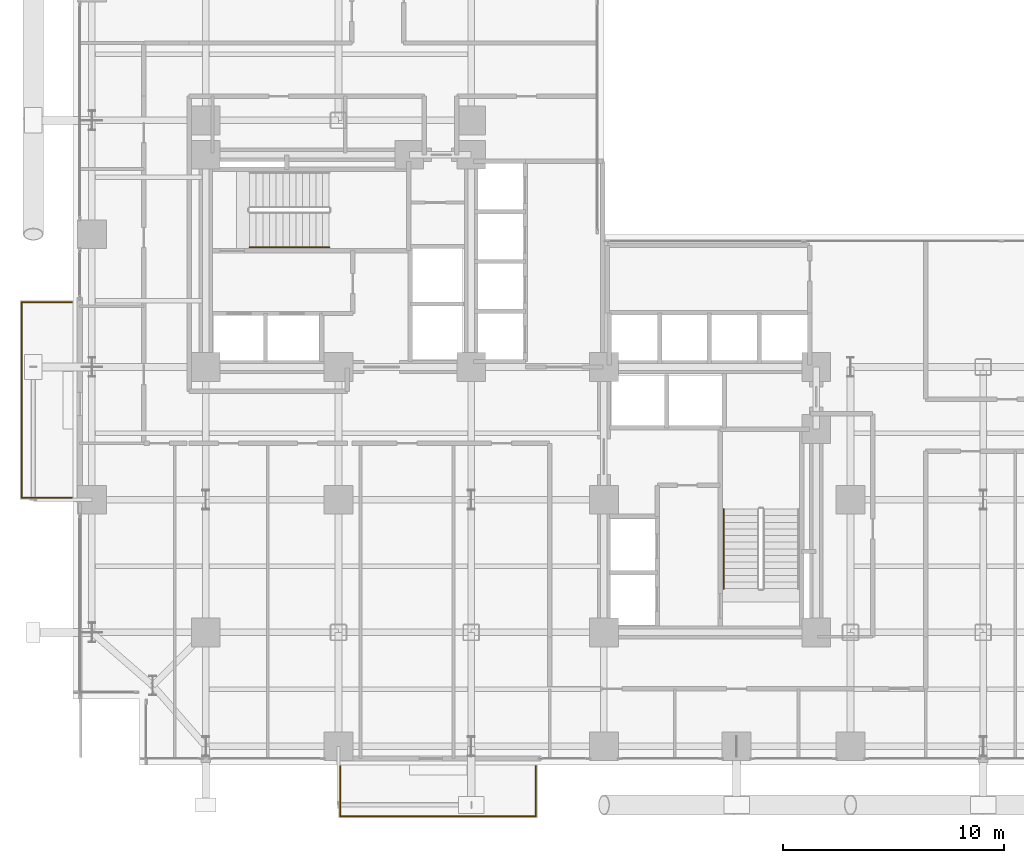
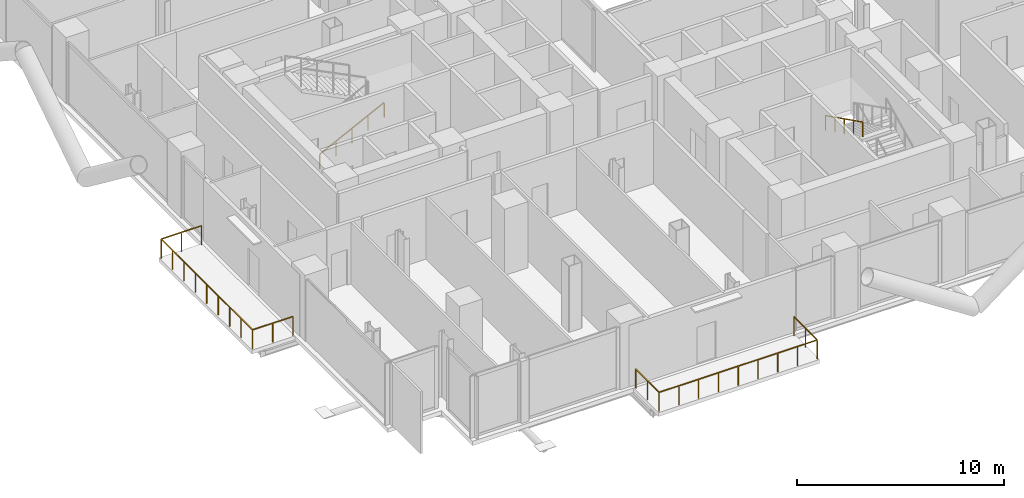
# One storey, part 24 of 25: 4 railings.
"""IFC4 building model written with IfcOpenShell, lengths in metres."""

from ifc_helpers import new_model, si_unit, direction, frame, origin, origin_2d, place, context, subcontext, project, spatial, rectangle, extrude, material, type_object, element, save


model = new_model("IFC4")

# Units and contexts
model_context = context("Model", 3, precision=1e-05, world=origin(), true_north=direction((0.0, 1.0)))
body_context = subcontext(model_context, "Body", "Model", "MODEL_VIEW")
ifc_project = project(units=[si_unit("LENGTHUNIT", "METRE"), si_unit("AREAUNIT", "SQUARE_METRE"), si_unit("VOLUMEUNIT", "CUBIC_METRE"), si_unit("PLANEANGLEUNIT", "RADIAN"), si_unit("MASSUNIT", "GRAM", prefix="KILO"), si_unit("THERMODYNAMICTEMPERATUREUNIT", "KELVIN"), si_unit("POWERUNIT", "WATT")], contexts=[model_context])

# Site, building, storey
site_placement = place(None, origin())
site = spatial("IfcSite", under=ifc_project, at=site_placement, CompositionType="ELEMENT")
building_placement = place(site_placement, origin())
building = spatial("IfcBuilding", under=site, at=building_placement, Name="Svarakhadi Broadcast Tower", CompositionType="ELEMENT")
storey_placement = place(building_placement, frame((0.0, 0.0, 48.0)))
storey = spatial("IfcBuildingStorey", under=building, at=storey_placement, Name="L10", CompositionType="ELEMENT", Elevation=48.0)

# Railings
ifc_material_1 = material(Name="Laminated Structural SentryGlas Balustrade 25.5 mm", Category="glass")
railing_type_1 = type_object("IfcRailingType", Name="Guard_Balcony_GR01", PredefinedType="BALUSTRADE", material=ifc_material_1)
railing_1_placement = place(storey_placement, frame((12.080078125, -0.06005859375, 0.0)))
element("IfcRailing", 1, at=railing_1_placement, inside=storey, type_object=railing_type_1, Name="L10 South Tree Balcony Guard GR-05", PredefinedType="BALUSTRADE", context=body_context, shape_type="SweptSolid", body=[
    extrude(rectangle(XDim=0.048095703125, YDim=0.048095703125, at=origin_2d()), frame((0.0, 0.0, 1.1259765625), z_axis=(0.0, -1.0, 0.0), x_axis=(1.0, 0.0, 0.0)), (0.0, 0.0, 1.0), 2.260009765625),
    extrude(rectangle(XDim=0.048095703125, YDim=0.048095703125, at=origin_2d()), frame((0.0, -2.260009765625, 1.1259765625), z_axis=(1.0, 0.0, 0.0), x_axis=(0.0, 1.0, 0.0)), (0.0, 0.0, 1.0), 8.83984375),
    extrude(rectangle(XDim=0.048095703125, YDim=0.048095703125, at=origin_2d()), frame((8.83984375, -2.260009765625, 1.1259765625), z_axis=(0.0, 1.0, 0.0), x_axis=(-1.0, 0.0, 0.0)), (0.0, 0.0, 1.0), 2.260009765625),
    extrude(rectangle(XDim=0.0419921875, YDim=0.0419921875, at=origin_2d()), origin(), (0.0, 0.0, 1.0), 1.101806640625),
    extrude(rectangle(XDim=0.0419921875, YDim=0.0419921875, at=origin_2d()), frame((0.0, -1.1298828125, 0.0)), (0.0, 0.0, 1.0), 1.101806640625),
    extrude(rectangle(XDim=0.0419921875, YDim=0.0419921875, at=origin_2d()), frame((0.0, -2.260009765625, 0.0)), (0.0, 0.0, 1.0), 1.101806640625),
    extrude(rectangle(XDim=0.0419921875, YDim=0.0419921875, at=origin_2d()), frame((1.10498046875, -2.260009765625, 0.0)), (0.0, 0.0, 1.0), 1.101806640625),
    extrude(rectangle(XDim=0.0419921875, YDim=0.0419921875, at=origin_2d()), frame((2.2099609375, -2.260009765625, 0.0)), (0.0, 0.0, 1.0), 1.101806640625),
    extrude(rectangle(XDim=0.0419921875, YDim=0.0419921875, at=origin_2d()), frame((3.31494140625, -2.260009765625, 0.0)), (0.0, 0.0, 1.0), 1.101806640625),
    extrude(rectangle(XDim=0.0419921875, YDim=0.0419921875, at=origin_2d()), frame((4.419921875, -2.260009765625, 0.0)), (0.0, 0.0, 1.0), 1.101806640625),
    extrude(rectangle(XDim=0.0419921875, YDim=0.0419921875, at=origin_2d()), frame((5.52490234375, -2.260009765625, 0.0)), (0.0, 0.0, 1.0), 1.101806640625),
    extrude(rectangle(XDim=0.0419921875, YDim=0.0419921875, at=origin_2d()), frame((6.6298828125, -2.260009765625, 0.0)), (0.0, 0.0, 1.0), 1.101806640625),
    extrude(rectangle(XDim=0.0419921875, YDim=0.0419921875, at=origin_2d()), frame((7.73486328125, -2.260009765625, 0.0)), (0.0, 0.0, 1.0), 1.101806640625),
    extrude(rectangle(XDim=0.0419921875, YDim=0.0419921875, at=origin_2d()), frame((8.83984375, -2.260009765625, 0.0)), (0.0, 0.0, 1.0), 1.101806640625),
    extrude(rectangle(XDim=0.0419921875, YDim=0.0419921875, at=origin_2d()), frame((8.83984375, -1.1298828125, 0.0)), (0.0, 0.0, 1.0), 1.101806640625),
    extrude(rectangle(XDim=0.0419921875, YDim=0.0419921875, at=origin_2d()), frame((8.83984375, 0.0, 0.0)), (0.0, 0.0, 1.0), 1.101806640625),
])
railing_2_placement = place(storey_placement, frame((-0.06005859375, 12.080078125, 0.0)))
element("IfcRailing", 2, at=railing_2_placement, inside=storey, type_object=railing_type_1, Name="L10 West Tree Balcony Guard GR-05", PredefinedType="BALUSTRADE", context=body_context, shape_type="SweptSolid", body=[
    extrude(rectangle(XDim=0.048095703125, YDim=0.048095703125, at=origin_2d()), frame((0.0, 0.0, 1.1259765625), z_axis=(-1.0, 0.0, 0.0), x_axis=(0.0, -1.0, 0.0)), (0.0, 0.0, 1.0), 2.260009765625),
    extrude(rectangle(XDim=0.048095703125, YDim=0.048095703125, at=origin_2d()), frame((-2.260009765625, 0.0, 1.1259765625), z_axis=(0.0, 1.0, 0.0), x_axis=(-1.0, 0.0, 0.0)), (0.0, 0.0, 1.0), 8.83984375),
    extrude(rectangle(XDim=0.048095703125, YDim=0.048095703125, at=origin_2d()), frame((-2.260009765625, 8.83984375, 1.1259765625), z_axis=(1.0, 0.0, 0.0), x_axis=(0.0, 1.0, 0.0)), (0.0, 0.0, 1.0), 2.260009765625),
    extrude(rectangle(XDim=0.0419921875, YDim=0.0419921875, at=origin_2d()), origin(), (0.0, 0.0, 1.0), 1.101806640625),
    extrude(rectangle(XDim=0.0419921875, YDim=0.0419921875, at=origin_2d()), frame((-1.1298828125, 0.0, 0.0)), (0.0, 0.0, 1.0), 1.101806640625),
    extrude(rectangle(XDim=0.0419921875, YDim=0.0419921875, at=origin_2d()), frame((-2.260009765625, 0.0, 0.0)), (0.0, 0.0, 1.0), 1.101806640625),
    extrude(rectangle(XDim=0.0419921875, YDim=0.0419921875, at=origin_2d()), frame((-2.260009765625, 1.10498046875, 0.0)), (0.0, 0.0, 1.0), 1.101806640625),
    extrude(rectangle(XDim=0.0419921875, YDim=0.0419921875, at=origin_2d()), frame((-2.260009765625, 2.2099609375, 0.0)), (0.0, 0.0, 1.0), 1.101806640625),
    extrude(rectangle(XDim=0.0419921875, YDim=0.0419921875, at=origin_2d()), frame((-2.260009765625, 3.31494140625, 0.0)), (0.0, 0.0, 1.0), 1.101806640625),
    extrude(rectangle(XDim=0.0419921875, YDim=0.0419921875, at=origin_2d()), frame((-2.260009765625, 4.419921875, 0.0)), (0.0, 0.0, 1.0), 1.101806640625),
    extrude(rectangle(XDim=0.0419921875, YDim=0.0419921875, at=origin_2d()), frame((-2.260009765625, 5.52490234375, 0.0)), (0.0, 0.0, 1.0), 1.101806640625),
    extrude(rectangle(XDim=0.0419921875, YDim=0.0419921875, at=origin_2d()), frame((-2.260009765625, 6.6298828125, 0.0)), (0.0, 0.0, 1.0), 1.101806640625),
    extrude(rectangle(XDim=0.0419921875, YDim=0.0419921875, at=origin_2d()), frame((-2.260009765625, 7.73486328125, 0.0)), (0.0, 0.0, 1.0), 1.101806640625),
    extrude(rectangle(XDim=0.0419921875, YDim=0.0419921875, at=origin_2d()), frame((-2.260009765625, 8.83984375, 0.0)), (0.0, 0.0, 1.0), 1.101806640625),
    extrude(rectangle(XDim=0.0419921875, YDim=0.0419921875, at=origin_2d()), frame((-1.1298828125, 8.83984375, 0.0)), (0.0, 0.0, 1.0), 1.101806640625),
    extrude(rectangle(XDim=0.0419921875, YDim=0.0419921875, at=origin_2d()), frame((0.0, 8.83984375, 0.0)), (0.0, 0.0, 1.0), 1.101806640625),
])
ifc_material_2 = material(Name="Anodised Bronze Aluminium AA 6063-T6", Category="aluminium")
railing_type_2 = type_object("IfcRailingType", Name="Handrail_Stair_HR01", PredefinedType="HANDRAIL", material=ifc_material_2)
railing_3_placement = place(storey_placement, frame((7.97998046875, 23.409912109375, 0.14990234375)))
element("IfcRailing", 3, at=railing_3_placement, inside=storey, type_object=railing_type_2, Name="L10 ST-01 stair handrail 1", PredefinedType="HANDRAIL", context=body_context, shape_type="SweptSolid", body=[
    extrude(rectangle(XDim=0.048095703125, YDim=0.048095703125, at=origin_2d()), frame((0.0, 0.0, 0.8759765625), z_axis=(0.894427191, 0.0, 0.4472135955), x_axis=(0.0, 1.0, 0.0)), (0.0, 0.0, 1.0), 4.025146484375),
    extrude(rectangle(XDim=0.0419921875, YDim=0.0419921875, at=origin_2d()), origin(), (0.0, 0.0, 1.0), 0.851806640625),
    extrude(rectangle(XDim=0.0419921875, YDim=0.0419921875, at=origin_2d()), frame((0.89990234375, 0.0, 0.449951171875)), (0.0, 0.0, 1.0), 0.851806640625),
    extrude(rectangle(XDim=0.0419921875, YDim=0.0419921875, at=origin_2d()), frame((1.800048828125, 0.0, 0.89990234375)), (0.0, 0.0, 1.0), 0.851806640625),
    extrude(rectangle(XDim=0.0419921875, YDim=0.0419921875, at=origin_2d()), frame((2.7001953125, 0.0, 1.35009765625)), (0.0, 0.0, 1.0), 0.851806640625),
    extrude(rectangle(XDim=0.0419921875, YDim=0.0419921875, at=origin_2d()), frame((3.60009765625, 0.0, 1.800048828125)), (0.0, 0.0, 1.0), 0.851806640625),
])
railing_4_placement = place(storey_placement, frame((29.409912109375, 11.580078125, 2.10009765625)))
element("IfcRailing", 4, at=railing_4_placement, inside=storey, type_object=railing_type_2, Name="L10 ST-02 stair handrail 2", PredefinedType="HANDRAIL", context=body_context, shape_type="SweptSolid", body=[
    extrude(rectangle(XDim=0.048095703125, YDim=0.048095703125, at=origin_2d()), frame((0.0, 0.0, 0.8759765625), z_axis=(0.0, -0.894451452574, 0.447165069061), x_axis=(1.0, 0.0, 0.0)), (0.0, 0.0, 1.0), 4.02490234375),
    extrude(rectangle(XDim=0.0419921875, YDim=0.0419921875, at=origin_2d()), origin(), (0.0, 0.0, 1.0), 0.851806640625),
    extrude(rectangle(XDim=0.0419921875, YDim=0.0419921875, at=origin_2d()), frame((0.0, -0.89990234375, 0.449951171875)), (0.0, 0.0, 1.0), 0.851806640625),
    extrude(rectangle(XDim=0.0419921875, YDim=0.0419921875, at=origin_2d()), frame((0.0, -1.800048828125, 0.89990234375)), (0.0, 0.0, 1.0), 0.851806640625),
    extrude(rectangle(XDim=0.0419921875, YDim=0.0419921875, at=origin_2d()), frame((0.0, -2.7001953125, 1.349853515625)), (0.0, 0.0, 1.0), 0.851806640625),
    extrude(rectangle(XDim=0.0419921875, YDim=0.0419921875, at=origin_2d()), frame((0.0, -3.60009765625, 1.7998046875)), (0.0, 0.0, 1.0), 0.851806640625),
])

save(model, "model.ifc")
